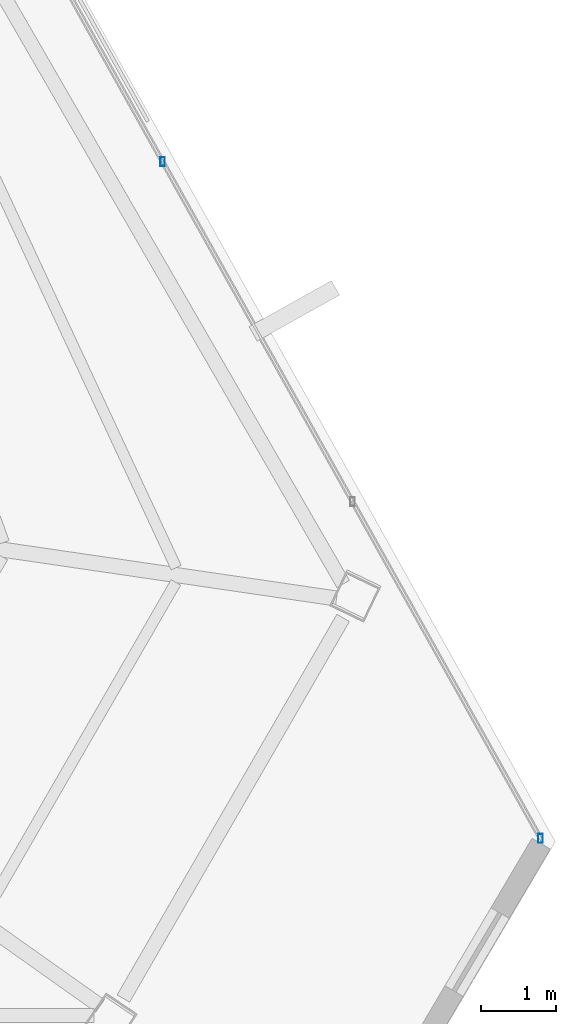
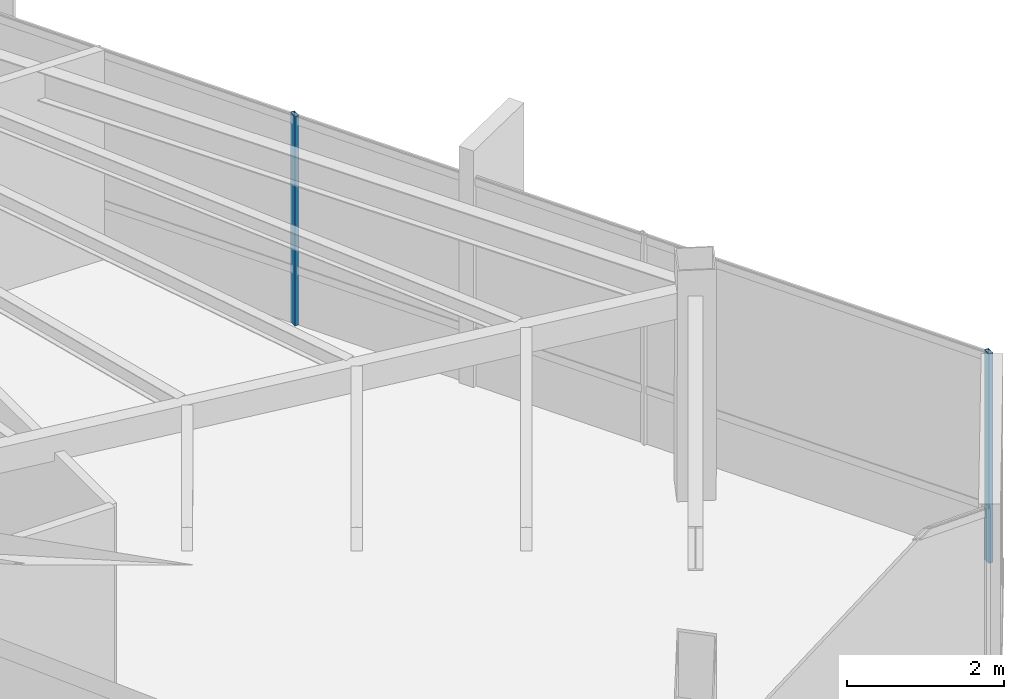
# One storey, part 27 of 44: 2 members, 1 element without a shape of its own.
"""IFC4 building model written with IfcOpenShell, lengths in metres."""

from ifc_helpers import new_model, si_unit, direction, frame, origin, origin_2d, place, context, subcontext, project, spatial, hollow_rectangle, extrude, source, transform, mapped, material, material_profile, profile_set, type_object, type_shapes, element, aggregate, save


model = new_model("IFC4")

# Units and contexts
model_context = context("Model", 3, precision=1e-05, world=origin(), true_north=direction((0.0, 1.0)))
body_context = subcontext(model_context, "Body", "Model", "MODEL_VIEW")
ifc_project = project(units=[si_unit("LENGTHUNIT", "METRE"), si_unit("AREAUNIT", "SQUARE_METRE"), si_unit("VOLUMEUNIT", "CUBIC_METRE"), si_unit("PLANEANGLEUNIT", "RADIAN"), si_unit("MASSUNIT", "GRAM", prefix="KILO")], contexts=[model_context])

# Site, building, storey
site_placement = place(None, origin())
site = spatial("IfcSite", under=ifc_project, at=site_placement, CompositionType="ELEMENT")
building_placement = place(site_placement, origin())
building = spatial("IfcBuilding", under=site, at=building_placement, Name="Caelisora Broadcast Tower", CompositionType="ELEMENT")
storey_placement = place(building_placement, frame((0.0, 0.0, 280.949951171875)))
storey = spatial("IfcBuildingStorey", under=building, at=storey_placement, Name="L74", CompositionType="ELEMENT", Elevation=280.949951171875)

# Curtain wall, members
ifc_material_1 = material(Name="Unitised Aluminium and Low-E Glass Curtain Wall", Category="glass")
curtain_wall_type = type_object("IfcCurtainWallType", Name="CW-Z5", PredefinedType="NOTDEFINED", material=ifc_material_1)
curtain_wall_placement = place(storey_placement, origin())
curtain_wall = element("IfcCurtainWall", 1, at=curtain_wall_placement, inside=storey, type_object=curtain_wall_type, Name="L74 curtain wall CW-Z5", PredefinedType="NOTDEFINED")
ifc_material_2 = material(Name="Aluminium 6063-T6 Anodised Terracotta Bronze", Category="aluminium")
ifc_material_profile = material_profile(ifc_material_2, hollow_rectangle(XDim=0.06005859375, YDim=0.1201171875, WallThickness=0.0029296875, at=origin_2d()), Name="Aluminium 6063-T6 Anodised Terracotta Bronze")
ifc_profile_set = profile_set([ifc_material_profile], Name="Aluminium 6063-T6 Anodised Terracotta Bronze")
member_type = type_object("IfcMemberType", Name="CWM-04", PredefinedType="MULLION", material=ifc_profile_set)
shared_shape = source(origin(), body_context, "Body", "SweptSolid", [
    extrude(hollow_rectangle(XDim=0.06005859375, YDim=0.1201171875, WallThickness=0.0029296875, at=origin_2d()), origin(), (0.0, 0.0, 1.0), 3.25),
])
type_shapes(member_type, [shared_shape])
member_1_placement = place(storey_placement, frame((56.743408203125, 21.206787109375, 0.0), z_axis=(0.0, 0.0, 1.0), x_axis=(1.0, 0.0, 0.0)))
member_1 = element("IfcMember", 2, at=member_1_placement, type_object=member_type, Name="L74-CW-B03 mullion #1", PredefinedType="MULLION", context=body_context, shape_type="MappedRepresentation", body=[
    mapped(shared_shape, transform((0.0, 0.0, 0.0), scale=1.0)),
])
member_2_placement = place(storey_placement, frame((61.751708984375, 12.23876953125, 0.0), z_axis=(0.0, 0.0, 1.0), x_axis=(1.0, 0.0, 0.0)))
member_2 = element("IfcMember", 3, at=member_2_placement, type_object=member_type, Name="L74-CW-B03 mullion #3", PredefinedType="MULLION", context=body_context, shape_type="MappedRepresentation", body=[
    mapped(shared_shape, transform((0.0, 0.0, 0.0), scale=1.0)),
])
aggregate(curtain_wall, [member_1, member_2])

save(model, "model.ifc")
